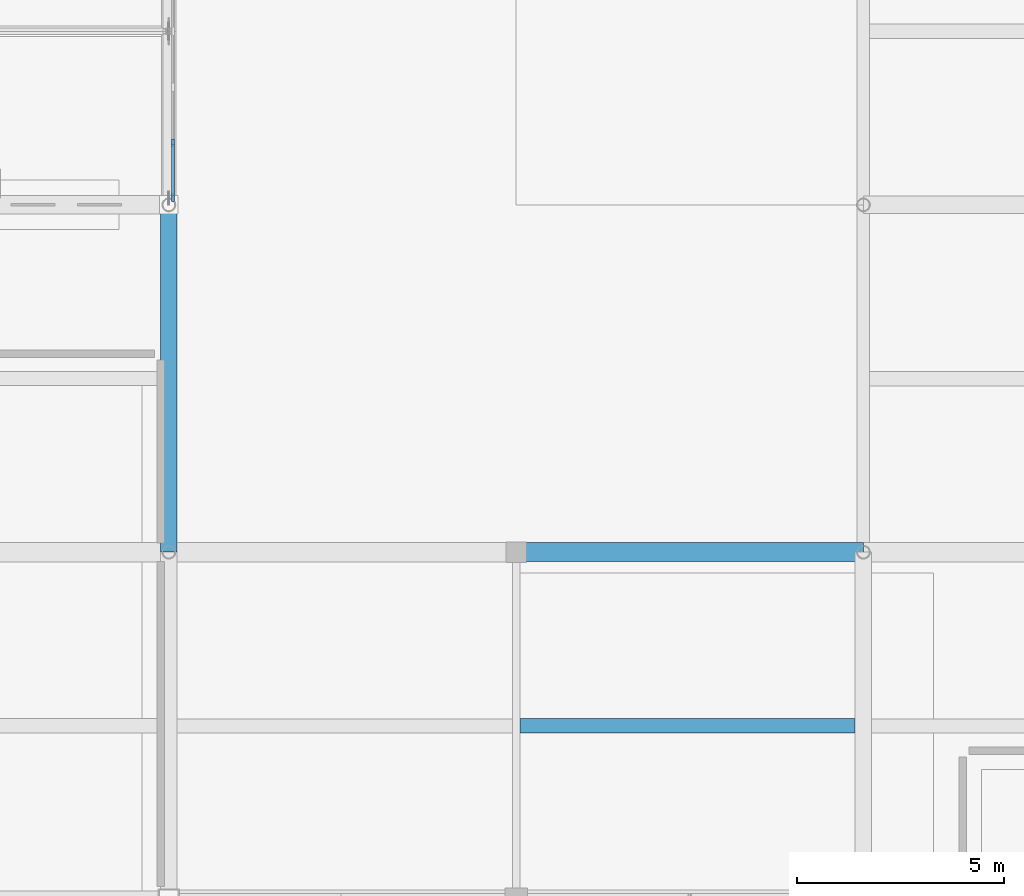
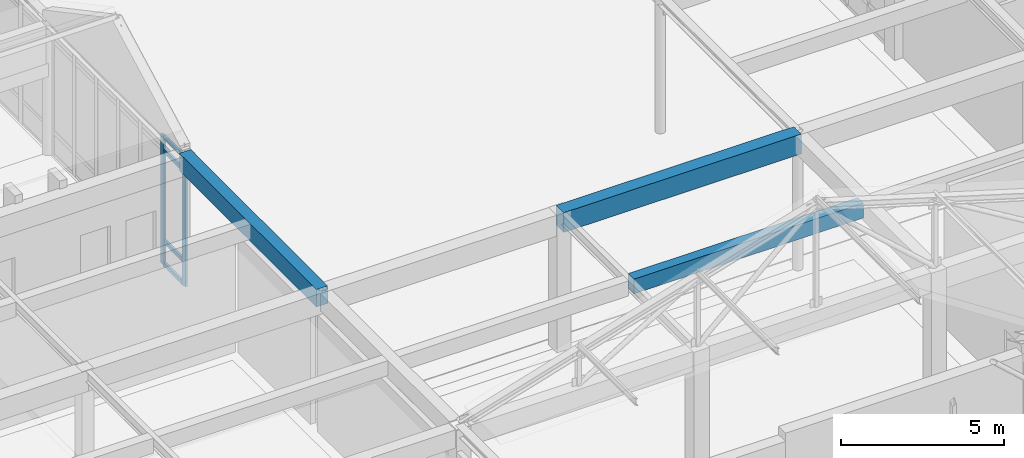
# One storey, part 26 of 143: 6 members, 3 beams, 1 element without a shape of its own.
"""IFC4 building model written with IfcOpenShell, lengths in metres."""

from ifc_helpers import new_model, si_unit, direction, frame, origin, origin_2d, place, context, subcontext, project, spatial, rectangle, extrude, material, layer, layer_set, material_profile, profile_set, type_object, element, aggregate, save


model = new_model("IFC4")

# Units and contexts
model_context = context("Model", 3, precision=1e-05, world=origin(), true_north=direction((0.0, 1.0)))
body_context = subcontext(model_context, "Body", "Model", "MODEL_VIEW")
ifc_project = project(units=[si_unit("LENGTHUNIT", "METRE"), si_unit("AREAUNIT", "SQUARE_METRE"), si_unit("VOLUMEUNIT", "CUBIC_METRE"), si_unit("PLANEANGLEUNIT", "RADIAN"), si_unit("MASSUNIT", "GRAM", prefix="KILO")], contexts=[model_context])

# Site, building, storey
site_placement = place(None, origin())
site = spatial("IfcSite", under=ifc_project, at=site_placement, CompositionType="ELEMENT")
building_placement = place(site_placement, origin())
building = spatial("IfcBuilding", under=site, at=building_placement, Name="Kveldsbrygga Polytechnic", CompositionType="ELEMENT")
storey_placement = place(building_placement, origin())
storey = spatial("IfcBuildingStorey", under=building, at=storey_placement, Name="L00", CompositionType="ELEMENT", Elevation=0.0)

# Beams
ifc_material_1 = material(Name="Concrete C35/45", Category="concrete")
ifc_material_profile_1 = material_profile(ifc_material_1, rectangle(XDim=0.39990234375, YDim=0.64990234375, at=origin_2d()), Name="RC 400x650")
ifc_profile_set_1 = profile_set([ifc_material_profile_1], Name="Concrete C35/45")
beam_type_1 = type_object("IfcBeamType", Name="BM-RC-400x650", PredefinedType="BEAM", material=ifc_profile_set_1)
beam_1_placement = place(storey_placement, frame((50.39990234375, 16.800048828125, 4.81494140625), z_axis=(0.0, 1.0, 0.0), x_axis=(-1.0, 0.0, 0.0)))
element("IfcBeam", 1, at=beam_1_placement, inside=storey, type_object=beam_type_1, Name="Primary Beam BMY-L00-06-02to03", PredefinedType="BEAM", context=body_context, shape_type="SweptSolid", body=[
    extrude(rectangle(XDim=0.39990234375, YDim=0.64990234375, at=origin_2d()), origin(), (0.0, 0.0, 1.0), 8.39990234375),
])
ifc_material_profile_2 = material_profile(ifc_material_1, rectangle(XDim=0.4599609375, YDim=0.739990234375, at=origin_2d()), Name="RC 460x740")
ifc_profile_set_2 = profile_set([ifc_material_profile_2], Name="Concrete C35/45")
beam_type_2 = type_object("IfcBeamType", Name="BM-RC-460x740", PredefinedType="BEAM", material=ifc_profile_set_2)
beam_2_placement = place(storey_placement, frame((58.800048828125, 16.800048828125, 4.77001953125), z_axis=(1.0, 0.0, 0.0), x_axis=(0.0, 1.0, 0.0)))
element("IfcBeam", 2, at=beam_2_placement, inside=storey, type_object=beam_type_2, Name="Primary Beam BMX-L00-07to08-02", PredefinedType="BEAM", context=body_context, shape_type="SweptSolid", body=[
    extrude(rectangle(XDim=0.4599609375, YDim=0.739990234375, at=origin_2d()), origin(), (0.0, 0.0, 1.0), 8.39990234375),
])

# Curtain wall, members
ifc_material_2 = material(Name="Anodised aluminium AW-6060", Category="aluminium")
ifc_layer = layer(ifc_material_2, 0.159912109375)
ifc_layer_set = layer_set([ifc_layer], Name="Anodised aluminium AW-6060")
curtain_wall_type = type_object("IfcCurtainWallType", Name="CW-CLER-C", PredefinedType="USERDEFINED", material=ifc_layer_set)
curtain_wall_placement = place(storey_placement, origin())
curtain_wall = element("IfcCurtainWall", 3, at=curtain_wall_placement, inside=storey, type_object=curtain_wall_type, Name="Curtain Wall CW-L00-Y-06-03", ObjectType="STICK CURTAIN WALL", PredefinedType="USERDEFINED")
ifc_material_profile_3 = material_profile(ifc_material_2, rectangle(XDim=0.074951171875, YDim=0.199951171875, at=origin_2d()), Name="ALU 75x200")
ifc_profile_set_3 = profile_set([ifc_material_profile_3], Name="Anodised aluminium AW-6060")
member_type_1 = type_object("IfcMemberType", Name="CW-MUL-200", PredefinedType="MULLION", material=ifc_profile_set_3)
member_1_placement = place(storey_placement, frame((50.5, 25.384521484375, 0.0), z_axis=(0.0, 0.0, 1.0), x_axis=(-1.0, 0.0, 0.0)))
member_1 = element("IfcMember", 4, at=member_1_placement, type_object=member_type_1, Name="CW-03 mullion 1", PredefinedType="MULLION", context=body_context, shape_type="SweptSolid", body=[
    extrude(rectangle(XDim=0.074951171875, YDim=0.199951171875, at=origin_2d()), origin(), (0.0, 0.0, 1.0), 4.830078125),
])
member_2_placement = place(storey_placement, frame((50.5, 26.697998046875, 0.0), z_axis=(0.0, 0.0, 1.0), x_axis=(-1.0, 0.0, 0.0)))
member_2 = element("IfcMember", 5, at=member_2_placement, type_object=member_type_1, Name="CW-03 mullion 2", PredefinedType="MULLION", context=body_context, shape_type="SweptSolid", body=[
    extrude(rectangle(XDim=0.074951171875, YDim=0.199951171875, at=origin_2d()), origin(), (0.0, 0.0, 1.0), 4.830078125),
])
ifc_material_profile_4 = material_profile(ifc_material_2, rectangle(XDim=0.074951171875, YDim=0.159912109375, at=origin_2d()), Name="ALU 75x160")
ifc_profile_set_4 = profile_set([ifc_material_profile_4], Name="Anodised aluminium AW-6060")
member_type_2 = type_object("IfcMemberType", Name="CW-TRN-160", PredefinedType="USERDEFINED", material=ifc_profile_set_4)
member_3_placement = place(storey_placement, frame((50.5, 25.421875, 0.03759765625), z_axis=(0.0, 1.0, 0.0), x_axis=(-1.0, 0.0, 0.0)))
member_3 = element("IfcMember", 6, at=member_3_placement, type_object=member_type_2, Name="CW-03 transom 1.1", ObjectType="TRANSOM", PredefinedType="USERDEFINED", context=body_context, shape_type="SweptSolid", body=[
    extrude(rectangle(XDim=0.074951171875, YDim=0.159912109375, at=origin_2d()), origin(), (0.0, 0.0, 1.0), 1.238525390625),
])
member_4_placement = place(storey_placement, frame((50.5, 25.421875, 0.89990234375), z_axis=(0.0, 1.0, 0.0), x_axis=(-1.0, 0.0, 0.0)))
member_4 = element("IfcMember", 7, at=member_4_placement, type_object=member_type_2, Name="CW-03 transom 1.2", ObjectType="TRANSOM", PredefinedType="USERDEFINED", context=body_context, shape_type="SweptSolid", body=[
    extrude(rectangle(XDim=0.074951171875, YDim=0.159912109375, at=origin_2d()), origin(), (0.0, 0.0, 1.0), 1.238525390625),
])
member_5_placement = place(storey_placement, frame((50.5, 25.421875, 4.280029296875), z_axis=(0.0, 1.0, 0.0), x_axis=(-1.0, 0.0, 0.0)))
member_5 = element("IfcMember", 8, at=member_5_placement, type_object=member_type_2, Name="CW-03 transom 1.3", ObjectType="TRANSOM", PredefinedType="USERDEFINED", context=body_context, shape_type="SweptSolid", body=[
    extrude(rectangle(XDim=0.074951171875, YDim=0.159912109375, at=origin_2d()), origin(), (0.0, 0.0, 1.0), 1.238525390625),
])
member_6_placement = place(storey_placement, frame((50.5, 25.421875, 4.79248046875), z_axis=(0.0, 1.0, 0.0), x_axis=(-1.0, 0.0, 0.0)))
member_6 = element("IfcMember", 9, at=member_6_placement, type_object=member_type_2, Name="CW-03 transom 1.4", ObjectType="TRANSOM", PredefinedType="USERDEFINED", context=body_context, shape_type="SweptSolid", body=[
    extrude(rectangle(XDim=0.074951171875, YDim=0.159912109375, at=origin_2d()), origin(), (0.0, 0.0, 1.0), 1.238525390625),
])
aggregate(curtain_wall, [member_1, member_2, member_3, member_4, member_5, member_6])

# Beam
ifc_material_profile_5 = material_profile(ifc_material_1, rectangle(XDim=0.35009765625, YDim=0.550048828125, at=origin_2d()), Name="RC 350x550")
ifc_profile_set_5 = profile_set([ifc_material_profile_5], Name="Concrete C35/45")
beam_type_3 = type_object("IfcBeamType", Name="JST-RC-350x550", PredefinedType="JOIST", material=ifc_profile_set_5)
beam_3_placement = place(storey_placement, frame((58.889892578125, 12.60009765625, 4.864990234375), z_axis=(1.0, 0.0, 0.0), x_axis=(0.0, 1.0, 0.0)))
element("IfcBeam", 10, at=beam_3_placement, inside=storey, type_object=beam_type_3, Name="Secondary Joist JST-L00-07-01", PredefinedType="JOIST", context=body_context, shape_type="SweptSolid", body=[
    extrude(rectangle(XDim=0.35009765625, YDim=0.550048828125, at=origin_2d()), origin(), (0.0, 0.0, 1.0), 8.110107421875),
])

save(model, "model.ifc")
